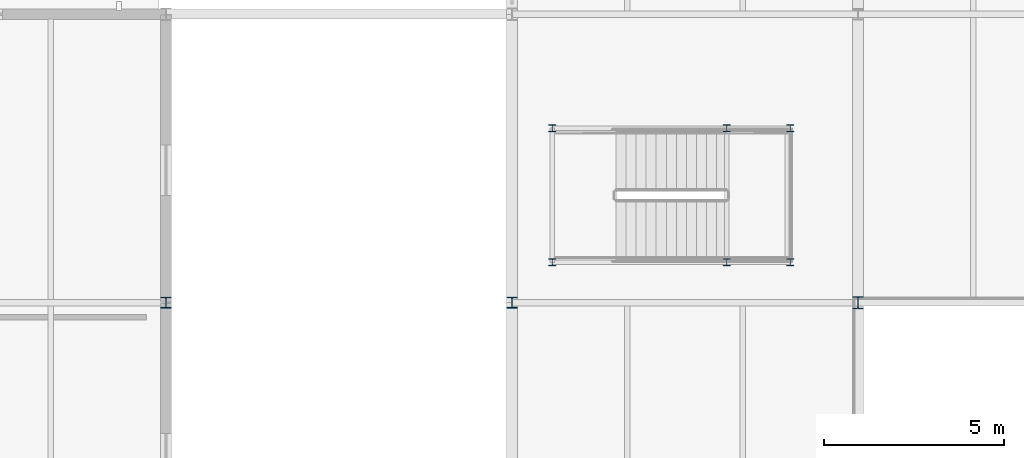
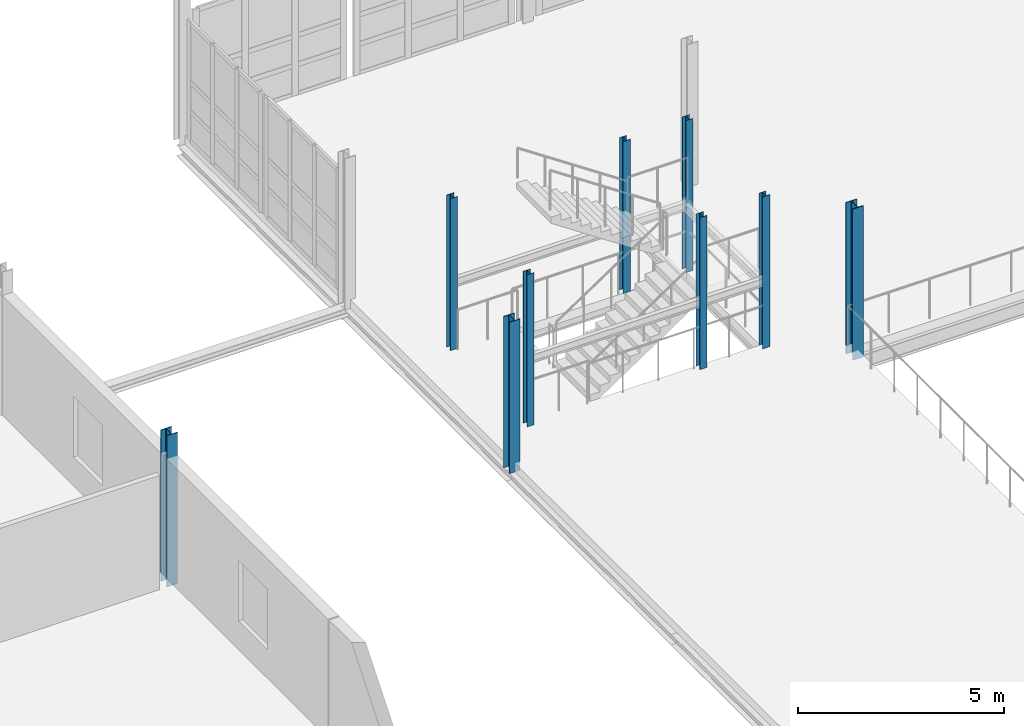
# One storey, part 9 of 73: 9 columns.
"""IFC4 building model written with IfcOpenShell, lengths in metres."""

from ifc_helpers import new_model, si_unit, direction, frame, origin, origin_2d, place, context, subcontext, project, spatial, i_section, extrude, material, material_profile, profile_set, type_object, element, save


model = new_model("IFC4")

# Units and contexts
model_context = context("Model", 3, precision=1e-05, world=origin(), true_north=direction((0.0, 1.0)))
body_context = subcontext(model_context, "Body", "Model", "MODEL_VIEW")
ifc_project = project(units=[si_unit("LENGTHUNIT", "METRE"), si_unit("AREAUNIT", "SQUARE_METRE"), si_unit("VOLUMEUNIT", "CUBIC_METRE"), si_unit("PLANEANGLEUNIT", "RADIAN"), si_unit("MASSUNIT", "GRAM", prefix="KILO")], contexts=[model_context])

# Site, building, storey
site_placement = place(None, origin())
site = spatial("IfcSite", under=ifc_project, at=site_placement, CompositionType="ELEMENT")
building_placement = place(site_placement, origin())
building = spatial("IfcBuilding", under=site, at=building_placement, Name="Alderhovde Museum", CompositionType="ELEMENT")
storey_placement = place(building_placement, frame((0.0, 0.0, 12.89990234375)))
storey = spatial("IfcBuildingStorey", under=building, at=storey_placement, Name="L03", CompositionType="ELEMENT", Elevation=12.89990234375)

# Columns
ifc_material_1 = material(Name="Steel S355J2", Category="steel")
ifc_material_profile_1 = material_profile(ifc_material_1, i_section(OverallWidth=0.199951171875, OverallDepth=0.18994140625, WebThickness=0.006591796875, FlangeThickness=0.010009765625, FilletRadius=0.01806640625, at=origin_2d()), Name="HEA 200")
ifc_profile_set_1 = profile_set([ifc_material_profile_1], Name="Steel S355J2")
column_type_1 = type_object("IfcColumnType", Name="COL-HEA200", PredefinedType="COLUMN", material=ifc_profile_set_1)
for number, where, z_axis, x_axis, name in (
    (1, (77.919921875, 73.1201171875, 0.0), (0.0, 0.0, 1.0), (1.0, 0.0, 0.0), "L03 Stair ST5 Shaft Column 1"),
    (2, (84.52001953125, 73.1201171875, 0.0), (0.0, 0.0, 1.0), (1.0, 0.0, 0.0), "L03 Stair ST5 Shaft Column 2"),
    (3, (84.52001953125, 76.840087890625, 0.0), (0.0, 0.0, 1.0), (1.0, 0.0, 0.0), "L03 Stair ST5 Shaft Column 3"),
    (4, (77.919921875, 76.840087890625, 0.0), (0.0, 0.0, 1.0), (1.0, 0.0, 0.0), "L03 Stair ST5 Shaft Column 4"),
    (5, (82.760009765625, 73.1201171875, 0.0), (0.0, 0.0, 1.0), (1.0, 0.0, 0.0), "L03 Stair ST5 Shaft Column 5"),
    (6, (82.760009765625, 76.840087890625, 0.0), (0.0, 0.0, 1.0), (1.0, 0.0, 0.0), "L03 Stair ST5 Shaft Column 6"),
):
    element("IfcColumn", number, at=place(storey_placement, frame(where, z_axis=z_axis, x_axis=x_axis)), inside=storey, type_object=column_type_1, Name=name, PredefinedType="COLUMN", context=body_context, shape_type="SweptSolid", body=[
        extrude(i_section(OverallWidth=0.199951171875, OverallDepth=0.18994140625, WebThickness=0.006591796875, FlangeThickness=0.010009765625, FilletRadius=0.01806640625, at=origin_2d()), origin(), (0.0, 0.0, 1.0), 4.5),
    ])
ifc_material_2 = material(Name="Steel S355J2", Category="steel")
ifc_material_profile_2 = material_profile(ifc_material_2, i_section(OverallWidth=0.300048828125, OverallDepth=0.300048828125, WebThickness=0.010986328125, FlangeThickness=0.01904296875, FilletRadius=0.027099609375, at=origin_2d()), Name="HEB 300")
ifc_profile_set_2 = profile_set([ifc_material_profile_2], Name="Steel S355J2")
column_type_2 = type_object("IfcColumnType", Name="COL-HEB300", PredefinedType="COLUMN", material=ifc_profile_set_2)
for number, where, z_axis, x_axis, name in (
    (7, (67.199951171875, 72.0, -0.260009765625), (0.0, 0.0, 1.0), (1.0, 0.0, 0.0), "L03 Column (67.2, 72.0)"),
    (8, (76.800048828125, 72.0, -0.260009765625), (0.0, 0.0, 1.0), (1.0, 0.0, 0.0), "L03 Column (76.8, 72.0)"),
):
    element("IfcColumn", number, at=place(storey_placement, frame(where, z_axis=z_axis, x_axis=x_axis)), inside=storey, type_object=column_type_2, Name=name, PredefinedType="COLUMN", context=body_context, shape_type="SweptSolid", body=[
        extrude(i_section(OverallWidth=0.300048828125, OverallDepth=0.300048828125, WebThickness=0.010986328125, FlangeThickness=0.01904296875, FilletRadius=0.027099609375, at=origin_2d()), origin(), (0.0, 0.0, 1.0), 4.480224609375),
    ])
ifc_material_3 = material(Name="Steel S355J2", Category="steel")
ifc_material_profile_3 = material_profile(ifc_material_3, i_section(OverallWidth=0.300048828125, OverallDepth=0.340087890625, WebThickness=0.011962890625, FlangeThickness=0.021484375, FilletRadius=0.027099609375, at=origin_2d()), Name="HEB 340")
ifc_profile_set_3 = profile_set([ifc_material_profile_3], Name="Steel S355J2")
column_type_3 = type_object("IfcColumnType", Name="COL-HEB340", PredefinedType="COLUMN", material=ifc_profile_set_3)
column_placement = place(storey_placement, frame((86.39990234375, 72.0, -0.260009765625), z_axis=(0.0, 0.0, 1.0), x_axis=(1.0, 0.0, 0.0)))
element("IfcColumn", 9, at=column_placement, inside=storey, type_object=column_type_3, Name="L03 Column (86.4, 72.0)", PredefinedType="COLUMN", context=body_context, shape_type="SweptSolid", body=[
    extrude(i_section(OverallWidth=0.300048828125, OverallDepth=0.340087890625, WebThickness=0.011962890625, FlangeThickness=0.021484375, FilletRadius=0.027099609375, at=origin_2d()), origin(), (0.0, 0.0, 1.0), 4.480224609375),
])

save(model, "model.ifc")
